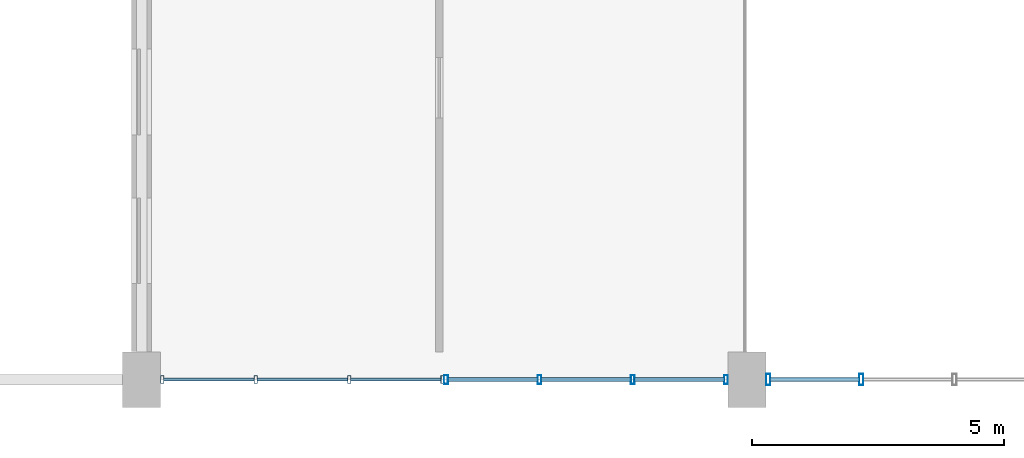
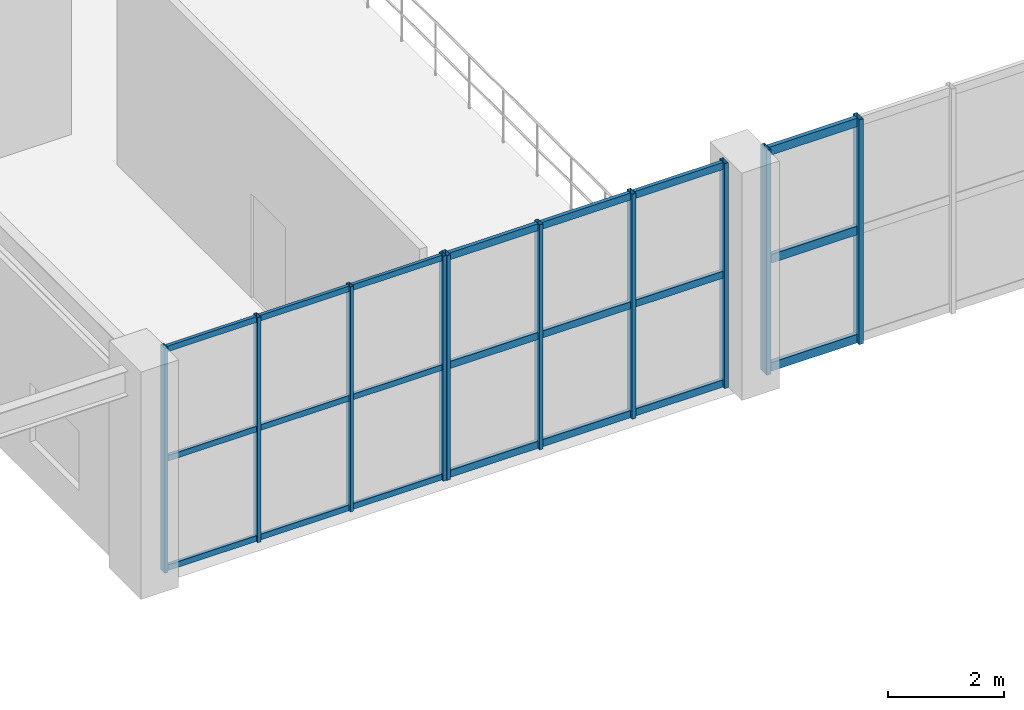
# One storey, part 50 of 106: 31 members, 3 elements without a shape of their own.
"""IFC4 building model written with IfcOpenShell, lengths in metres."""

from ifc_helpers import new_model, si_unit, direction, frame, origin, origin_2d, place, context, subcontext, project, spatial, hollow_rectangle, extrude, material, layer, layer_set, material_profile, profile_set, type_object, element, aggregate, save


model = new_model("IFC4")

# Units and contexts
model_context = context("Model", 3, precision=1e-05, world=origin(), true_north=direction((0.0, 1.0)))
body_context = subcontext(model_context, "Body", "Model", "MODEL_VIEW")
ifc_project = project(units=[si_unit("LENGTHUNIT", "METRE"), si_unit("AREAUNIT", "SQUARE_METRE"), si_unit("VOLUMEUNIT", "CUBIC_METRE"), si_unit("PLANEANGLEUNIT", "RADIAN"), si_unit("MASSUNIT", "GRAM", prefix="KILO"), si_unit("POWERUNIT", "WATT"), si_unit("THERMODYNAMICTEMPERATUREUNIT", "KELVIN")], contexts=[model_context])

# Site, building, storey
site_placement = place(None, origin())
site = spatial("IfcSite", under=ifc_project, at=site_placement, CompositionType="ELEMENT")
building_placement = place(site_placement, origin())
building = spatial("IfcBuilding", under=site, at=building_placement, Name="Kelmbourne Parkland Aquatics Centre", CompositionType="ELEMENT")
storey_placement = place(building_placement, frame((0.0, 0.0, 5.39990234375)))
storey = spatial("IfcBuildingStorey", under=building, at=storey_placement, Name="L01", CompositionType="ELEMENT", Elevation=5.39990234375)

# Curtain wall, members
ifc_material = material(Name="Thermally broken anodised aluminium framing", Category="aluminium")
ifc_layer_1 = layer(ifc_material, 0.179931640625)
ifc_layer_set_1 = layer_set([ifc_layer_1], Name="Thermally broken anodised aluminium framing")
curtain_wall_type_1 = type_object("IfcCurtainWallType", Name="CW-09", PredefinedType="NOTDEFINED", material=ifc_layer_set_1)
curtain_wall_1_placement = place(storey_placement, origin())
curtain_wall_1 = element("IfcCurtainWall", 1, at=curtain_wall_1_placement, inside=storey, type_object=curtain_wall_type_1, Name="Wave-hall clerestory curtain wall CW-L01-105", PredefinedType="NOTDEFINED")
ifc_material_profile_1 = material_profile(ifc_material, hollow_rectangle(XDim=0.06494140625, YDim=0.14990234375, WallThickness=0.00390625, at=origin_2d()), Name="CW-M 65x150")
ifc_profile_set_1 = profile_set([ifc_material_profile_1], Name="Thermally broken anodised aluminium framing")
member_type_1 = type_object("IfcMemberType", Name="MB-MUL-1", PredefinedType="MULLION", material=ifc_profile_set_1)
member_1_placement = place(storey_placement, frame((128.409423828125, 0.800048828125, 0.0), z_axis=(0.0, 0.0, 1.0), x_axis=(1.0, 0.0, 0.0)))
member_1 = element("IfcMember", 2, at=member_1_placement, type_object=member_type_1, Name="CW-L01-105 mullion 0", PredefinedType="MULLION", context=body_context, shape_type="SweptSolid", body=[
    extrude(hollow_rectangle(XDim=0.06494140625, YDim=0.14990234375, WallThickness=0.00390625, at=origin_2d()), origin(), (0.0, 0.0, 1.0), 4.75),
])
member_2_placement = place(storey_placement, frame((130.26220703125, 0.800048828125, 0.0), z_axis=(0.0, 0.0, 1.0), x_axis=(1.0, 0.0, 0.0)))
member_2 = element("IfcMember", 3, at=member_2_placement, type_object=member_type_1, Name="CW-L01-105 mullion 1", PredefinedType="MULLION", context=body_context, shape_type="SweptSolid", body=[
    extrude(hollow_rectangle(XDim=0.06494140625, YDim=0.14990234375, WallThickness=0.00390625, at=origin_2d()), origin(), (0.0, 0.0, 1.0), 4.75),
])
member_3_placement = place(storey_placement, frame((132.11474609375, 0.800048828125, 0.0), z_axis=(0.0, 0.0, 1.0), x_axis=(1.0, 0.0, 0.0)))
member_3 = element("IfcMember", 4, at=member_3_placement, type_object=member_type_1, Name="CW-L01-105 mullion 2", PredefinedType="MULLION", context=body_context, shape_type="SweptSolid", body=[
    extrude(hollow_rectangle(XDim=0.06494140625, YDim=0.14990234375, WallThickness=0.00390625, at=origin_2d()), origin(), (0.0, 0.0, 1.0), 4.75),
])
member_4_placement = place(storey_placement, frame((133.967529296875, 0.800048828125, 0.0), z_axis=(0.0, 0.0, 1.0), x_axis=(1.0, 0.0, 0.0)))
member_4 = element("IfcMember", 5, at=member_4_placement, type_object=member_type_1, Name="CW-L01-105 mullion 3", PredefinedType="MULLION", context=body_context, shape_type="SweptSolid", body=[
    extrude(hollow_rectangle(XDim=0.06494140625, YDim=0.14990234375, WallThickness=0.00390625, at=origin_2d()), origin(), (0.0, 0.0, 1.0), 4.75),
])

ifc_layer_2 = layer(ifc_material, 0.179931640625)
ifc_layer_set_2 = layer_set([ifc_layer_2], Name="Thermally broken anodised aluminium framing")
curtain_wall_type_2 = type_object("IfcCurtainWallType", Name="CW-10", PredefinedType="NOTDEFINED", material=ifc_layer_set_2)
curtain_wall_2_placement = place(storey_placement, origin())
curtain_wall_2 = element("IfcCurtainWall", 6, at=curtain_wall_2_placement, inside=storey, type_object=curtain_wall_type_2, Name="Wave-hall clerestory curtain wall CW-L01-106", PredefinedType="NOTDEFINED")
ifc_material_profile_2 = material_profile(ifc_material, hollow_rectangle(XDim=0.074951171875, YDim=0.179931640625, WallThickness=0.00439453125, at=origin_2d()), Name="CW-M 75x180")
ifc_profile_set_2 = profile_set([ifc_material_profile_2], Name="Thermally broken anodised aluminium framing")
member_type_2 = type_object("IfcMemberType", Name="MB-MUL-2", PredefinedType="MULLION", material=ifc_profile_set_2)
member_5_placement = place(storey_placement, frame((134.03759765625, 0.800048828125, 0.0), z_axis=(0.0, 0.0, 1.0), x_axis=(1.0, 0.0, 0.0)))
member_5 = element("IfcMember", 7, at=member_5_placement, type_object=member_type_2, Name="CW-L01-106 mullion 0", PredefinedType="MULLION", context=body_context, shape_type="SweptSolid", body=[
    extrude(hollow_rectangle(XDim=0.074951171875, YDim=0.179931640625, WallThickness=0.00439453125, at=origin_2d()), origin(), (0.0, 0.0, 1.0), 4.75),
])
member_6_placement = place(storey_placement, frame((135.88671875, 0.800048828125, 0.0), z_axis=(0.0, 0.0, 1.0), x_axis=(1.0, 0.0, 0.0)))
member_6 = element("IfcMember", 8, at=member_6_placement, type_object=member_type_2, Name="CW-L01-106 mullion 1", PredefinedType="MULLION", context=body_context, shape_type="SweptSolid", body=[
    extrude(hollow_rectangle(XDim=0.074951171875, YDim=0.179931640625, WallThickness=0.00439453125, at=origin_2d()), origin(), (0.0, 0.0, 1.0), 4.75),
])
member_7_placement = place(storey_placement, frame((137.736083984375, 0.800048828125, 0.0), z_axis=(0.0, 0.0, 1.0), x_axis=(1.0, 0.0, 0.0)))
member_7 = element("IfcMember", 9, at=member_7_placement, type_object=member_type_2, Name="CW-L01-106 mullion 2", PredefinedType="MULLION", context=body_context, shape_type="SweptSolid", body=[
    extrude(hollow_rectangle(XDim=0.074951171875, YDim=0.179931640625, WallThickness=0.00439453125, at=origin_2d()), origin(), (0.0, 0.0, 1.0), 4.75),
])
member_8_placement = place(storey_placement, frame((139.58544921875, 0.800048828125, 0.0), z_axis=(0.0, 0.0, 1.0), x_axis=(1.0, 0.0, 0.0)))
member_8 = element("IfcMember", 10, at=member_8_placement, type_object=member_type_2, Name="CW-L01-106 mullion 3", PredefinedType="MULLION", context=body_context, shape_type="SweptSolid", body=[
    extrude(hollow_rectangle(XDim=0.074951171875, YDim=0.179931640625, WallThickness=0.00439453125, at=origin_2d()), origin(), (0.0, 0.0, 1.0), 4.75),
])

ifc_layer_3 = layer(ifc_material, 0.179931640625)
ifc_layer_set_3 = layer_set([ifc_layer_3], Name="Thermally broken anodised aluminium framing")
curtain_wall_type_3 = type_object("IfcCurtainWallType", Name="CW-11", PredefinedType="NOTDEFINED", material=ifc_layer_set_3)
curtain_wall_3_placement = place(storey_placement, origin())
curtain_wall_3 = element("IfcCurtainWall", 11, at=curtain_wall_3_placement, inside=storey, type_object=curtain_wall_type_3, Name="Wave-hall clerestory curtain wall CW-L01-107", PredefinedType="NOTDEFINED")
ifc_material_profile_3 = material_profile(ifc_material, hollow_rectangle(XDim=0.0849609375, YDim=0.219970703125, WallThickness=0.0048828125, at=origin_2d()), Name="CW-M 85x220")
ifc_profile_set_3 = profile_set([ifc_material_profile_3], Name="Thermally broken anodised aluminium framing")
member_type_3 = type_object("IfcMemberType", Name="MB-MUL-3", PredefinedType="MULLION", material=ifc_profile_set_3)
member_9_placement = place(storey_placement, frame((140.41943359375, 0.800048828125, 0.0), z_axis=(0.0, 0.0, 1.0), x_axis=(1.0, 0.0, 0.0)))
member_9 = element("IfcMember", 12, at=member_9_placement, type_object=member_type_3, Name="CW-L01-107 mullion 0", PredefinedType="MULLION", context=body_context, shape_type="SweptSolid", body=[
    extrude(hollow_rectangle(XDim=0.0849609375, YDim=0.219970703125, WallThickness=0.0048828125, at=origin_2d()), origin(), (0.0, 0.0, 1.0), 4.75),
])
member_10_placement = place(storey_placement, frame((142.265380859375, 0.800048828125, 0.0), z_axis=(0.0, 0.0, 1.0), x_axis=(1.0, 0.0, 0.0)))
member_10 = element("IfcMember", 13, at=member_10_placement, type_object=member_type_3, Name="CW-L01-107 mullion 1", PredefinedType="MULLION", context=body_context, shape_type="SweptSolid", body=[
    extrude(hollow_rectangle(XDim=0.0849609375, YDim=0.219970703125, WallThickness=0.0048828125, at=origin_2d()), origin(), (0.0, 0.0, 1.0), 4.75),
])

# Member
ifc_material_profile_4 = material_profile(ifc_material, hollow_rectangle(XDim=0.06494140625, YDim=0.1201171875, WallThickness=0.00341796875, at=origin_2d()), Name="CW-T 65x120")
ifc_profile_set_4 = profile_set([ifc_material_profile_4], Name="Thermally broken anodised aluminium framing")
member_type_4 = type_object("IfcMemberType", Name="MB-TRN-1", PredefinedType="USERDEFINED", material=ifc_profile_set_4)
member_11_placement = place(storey_placement, frame((128.43798828125, 0.800048828125, 0.06298828125), z_axis=(1.0, 0.0, 0.0), x_axis=(0.0, 1.0, 0.0)))
member_11 = element("IfcMember", 14, at=member_11_placement, type_object=member_type_4, Name="CW-L01-105 transom 0-0", ObjectType="TRANSOM", PredefinedType="USERDEFINED", context=body_context, shape_type="SweptSolid", body=[
    extrude(hollow_rectangle(XDim=0.06494140625, YDim=0.1201171875, WallThickness=0.00341796875, at=origin_2d()), origin(), (0.0, 0.0, 1.0), 1.795654296875),
])

member_12_placement = place(storey_placement, frame((130.290771484375, 0.800048828125, 0.06298828125), z_axis=(1.0, 0.0, 0.0), x_axis=(0.0, 1.0, 0.0)))
member_12 = element("IfcMember", 15, at=member_12_placement, type_object=member_type_4, Name="CW-L01-105 transom 0-1", ObjectType="TRANSOM", PredefinedType="USERDEFINED", context=body_context, shape_type="SweptSolid", body=[
    extrude(hollow_rectangle(XDim=0.06494140625, YDim=0.1201171875, WallThickness=0.00341796875, at=origin_2d()), origin(), (0.0, 0.0, 1.0), 1.79541015625),
])

member_13_placement = place(storey_placement, frame((132.143310546875, 0.800048828125, 0.06298828125), z_axis=(1.0, 0.0, 0.0), x_axis=(0.0, 1.0, 0.0)))
member_13 = element("IfcMember", 16, at=member_13_placement, type_object=member_type_4, Name="CW-L01-105 transom 0-2", ObjectType="TRANSOM", PredefinedType="USERDEFINED", context=body_context, shape_type="SweptSolid", body=[
    extrude(hollow_rectangle(XDim=0.06494140625, YDim=0.1201171875, WallThickness=0.00341796875, at=origin_2d()), origin(), (0.0, 0.0, 1.0), 1.795654296875),
])

member_14_placement = place(storey_placement, frame((128.43798828125, 0.800048828125, 2.375), z_axis=(1.0, 0.0, 0.0), x_axis=(0.0, 1.0, 0.0)))
member_14 = element("IfcMember", 17, at=member_14_placement, type_object=member_type_4, Name="CW-L01-105 transom 1-0", ObjectType="TRANSOM", PredefinedType="USERDEFINED", context=body_context, shape_type="SweptSolid", body=[
    extrude(hollow_rectangle(XDim=0.06494140625, YDim=0.1201171875, WallThickness=0.00341796875, at=origin_2d()), origin(), (0.0, 0.0, 1.0), 1.795654296875),
])

member_15_placement = place(storey_placement, frame((130.290771484375, 0.800048828125, 2.375), z_axis=(1.0, 0.0, 0.0), x_axis=(0.0, 1.0, 0.0)))
member_15 = element("IfcMember", 18, at=member_15_placement, type_object=member_type_4, Name="CW-L01-105 transom 1-1", ObjectType="TRANSOM", PredefinedType="USERDEFINED", context=body_context, shape_type="SweptSolid", body=[
    extrude(hollow_rectangle(XDim=0.06494140625, YDim=0.1201171875, WallThickness=0.00341796875, at=origin_2d()), origin(), (0.0, 0.0, 1.0), 1.79541015625),
])

member_16_placement = place(storey_placement, frame((132.143310546875, 0.800048828125, 2.375), z_axis=(1.0, 0.0, 0.0), x_axis=(0.0, 1.0, 0.0)))
member_16 = element("IfcMember", 19, at=member_16_placement, type_object=member_type_4, Name="CW-L01-105 transom 1-2", ObjectType="TRANSOM", PredefinedType="USERDEFINED", context=body_context, shape_type="SweptSolid", body=[
    extrude(hollow_rectangle(XDim=0.06494140625, YDim=0.1201171875, WallThickness=0.00341796875, at=origin_2d()), origin(), (0.0, 0.0, 1.0), 1.795654296875),
])

member_17_placement = place(storey_placement, frame((128.43798828125, 0.800048828125, 4.68701171875), z_axis=(1.0, 0.0, 0.0), x_axis=(0.0, 1.0, 0.0)))
member_17 = element("IfcMember", 20, at=member_17_placement, type_object=member_type_4, Name="CW-L01-105 transom 2-0", ObjectType="TRANSOM", PredefinedType="USERDEFINED", context=body_context, shape_type="SweptSolid", body=[
    extrude(hollow_rectangle(XDim=0.06494140625, YDim=0.1201171875, WallThickness=0.00341796875, at=origin_2d()), origin(), (0.0, 0.0, 1.0), 1.795654296875),
])

member_18_placement = place(storey_placement, frame((130.290771484375, 0.800048828125, 4.68701171875), z_axis=(1.0, 0.0, 0.0), x_axis=(0.0, 1.0, 0.0)))
member_18 = element("IfcMember", 21, at=member_18_placement, type_object=member_type_4, Name="CW-L01-105 transom 2-1", ObjectType="TRANSOM", PredefinedType="USERDEFINED", context=body_context, shape_type="SweptSolid", body=[
    extrude(hollow_rectangle(XDim=0.06494140625, YDim=0.1201171875, WallThickness=0.00341796875, at=origin_2d()), origin(), (0.0, 0.0, 1.0), 1.79541015625),
])

member_19_placement = place(storey_placement, frame((132.143310546875, 0.800048828125, 4.68701171875), z_axis=(1.0, 0.0, 0.0), x_axis=(0.0, 1.0, 0.0)))
member_19 = element("IfcMember", 22, at=member_19_placement, type_object=member_type_4, Name="CW-L01-105 transom 2-2", ObjectType="TRANSOM", PredefinedType="USERDEFINED", context=body_context, shape_type="SweptSolid", body=[
    extrude(hollow_rectangle(XDim=0.06494140625, YDim=0.1201171875, WallThickness=0.00341796875, at=origin_2d()), origin(), (0.0, 0.0, 1.0), 1.795654296875),
])

aggregate(curtain_wall_1, [member_1, member_2, member_3, member_4, member_11, member_12, member_13, member_14, member_15, member_16, member_17, member_18, member_19])

ifc_material_profile_5 = material_profile(ifc_material, hollow_rectangle(XDim=0.074951171875, YDim=0.14990234375, WallThickness=0.00390625, at=origin_2d()), Name="CW-T 75x150")
ifc_profile_set_5 = profile_set([ifc_material_profile_5], Name="Thermally broken anodised aluminium framing")
member_type_5 = type_object("IfcMemberType", Name="MB-TRN-2", PredefinedType="USERDEFINED", material=ifc_profile_set_5)
member_20_placement = place(storey_placement, frame((134.071044921875, 0.800048828125, 0.078125), z_axis=(1.0, 0.0, 0.0), x_axis=(0.0, 1.0, 0.0)))
member_20 = element("IfcMember", 23, at=member_20_placement, type_object=member_type_5, Name="CW-L01-106 transom 0-0", ObjectType="TRANSOM", PredefinedType="USERDEFINED", context=body_context, shape_type="SweptSolid", body=[
    extrude(hollow_rectangle(XDim=0.074951171875, YDim=0.14990234375, WallThickness=0.00390625, at=origin_2d()), origin(), (0.0, 0.0, 1.0), 1.7822265625),
])

member_21_placement = place(storey_placement, frame((135.92041015625, 0.800048828125, 0.078125), z_axis=(1.0, 0.0, 0.0), x_axis=(0.0, 1.0, 0.0)))
member_21 = element("IfcMember", 24, at=member_21_placement, type_object=member_type_5, Name="CW-L01-106 transom 0-1", ObjectType="TRANSOM", PredefinedType="USERDEFINED", context=body_context, shape_type="SweptSolid", body=[
    extrude(hollow_rectangle(XDim=0.074951171875, YDim=0.14990234375, WallThickness=0.00390625, at=origin_2d()), origin(), (0.0, 0.0, 1.0), 1.7822265625),
])

member_22_placement = place(storey_placement, frame((137.769775390625, 0.800048828125, 0.078125), z_axis=(1.0, 0.0, 0.0), x_axis=(0.0, 1.0, 0.0)))
member_22 = element("IfcMember", 25, at=member_22_placement, type_object=member_type_5, Name="CW-L01-106 transom 0-2", ObjectType="TRANSOM", PredefinedType="USERDEFINED", context=body_context, shape_type="SweptSolid", body=[
    extrude(hollow_rectangle(XDim=0.074951171875, YDim=0.14990234375, WallThickness=0.00390625, at=origin_2d()), origin(), (0.0, 0.0, 1.0), 1.7822265625),
])

member_23_placement = place(storey_placement, frame((134.071044921875, 0.800048828125, 2.375), z_axis=(1.0, 0.0, 0.0), x_axis=(0.0, 1.0, 0.0)))
member_23 = element("IfcMember", 26, at=member_23_placement, type_object=member_type_5, Name="CW-L01-106 transom 1-0", ObjectType="TRANSOM", PredefinedType="USERDEFINED", context=body_context, shape_type="SweptSolid", body=[
    extrude(hollow_rectangle(XDim=0.074951171875, YDim=0.14990234375, WallThickness=0.00390625, at=origin_2d()), origin(), (0.0, 0.0, 1.0), 1.7822265625),
])

member_24_placement = place(storey_placement, frame((135.92041015625, 0.800048828125, 2.375), z_axis=(1.0, 0.0, 0.0), x_axis=(0.0, 1.0, 0.0)))
member_24 = element("IfcMember", 27, at=member_24_placement, type_object=member_type_5, Name="CW-L01-106 transom 1-1", ObjectType="TRANSOM", PredefinedType="USERDEFINED", context=body_context, shape_type="SweptSolid", body=[
    extrude(hollow_rectangle(XDim=0.074951171875, YDim=0.14990234375, WallThickness=0.00390625, at=origin_2d()), origin(), (0.0, 0.0, 1.0), 1.7822265625),
])

member_25_placement = place(storey_placement, frame((137.769775390625, 0.800048828125, 2.375), z_axis=(1.0, 0.0, 0.0), x_axis=(0.0, 1.0, 0.0)))
member_25 = element("IfcMember", 28, at=member_25_placement, type_object=member_type_5, Name="CW-L01-106 transom 1-2", ObjectType="TRANSOM", PredefinedType="USERDEFINED", context=body_context, shape_type="SweptSolid", body=[
    extrude(hollow_rectangle(XDim=0.074951171875, YDim=0.14990234375, WallThickness=0.00390625, at=origin_2d()), origin(), (0.0, 0.0, 1.0), 1.7822265625),
])

member_26_placement = place(storey_placement, frame((134.071044921875, 0.800048828125, 4.672119140625), z_axis=(1.0, 0.0, 0.0), x_axis=(0.0, 1.0, 0.0)))
member_26 = element("IfcMember", 29, at=member_26_placement, type_object=member_type_5, Name="CW-L01-106 transom 2-0", ObjectType="TRANSOM", PredefinedType="USERDEFINED", context=body_context, shape_type="SweptSolid", body=[
    extrude(hollow_rectangle(XDim=0.074951171875, YDim=0.14990234375, WallThickness=0.00390625, at=origin_2d()), origin(), (0.0, 0.0, 1.0), 1.7822265625),
])

member_27_placement = place(storey_placement, frame((135.92041015625, 0.800048828125, 4.672119140625), z_axis=(1.0, 0.0, 0.0), x_axis=(0.0, 1.0, 0.0)))
member_27 = element("IfcMember", 30, at=member_27_placement, type_object=member_type_5, Name="CW-L01-106 transom 2-1", ObjectType="TRANSOM", PredefinedType="USERDEFINED", context=body_context, shape_type="SweptSolid", body=[
    extrude(hollow_rectangle(XDim=0.074951171875, YDim=0.14990234375, WallThickness=0.00390625, at=origin_2d()), origin(), (0.0, 0.0, 1.0), 1.7822265625),
])

member_28_placement = place(storey_placement, frame((137.769775390625, 0.800048828125, 4.672119140625), z_axis=(1.0, 0.0, 0.0), x_axis=(0.0, 1.0, 0.0)))
member_28 = element("IfcMember", 31, at=member_28_placement, type_object=member_type_5, Name="CW-L01-106 transom 2-2", ObjectType="TRANSOM", PredefinedType="USERDEFINED", context=body_context, shape_type="SweptSolid", body=[
    extrude(hollow_rectangle(XDim=0.074951171875, YDim=0.14990234375, WallThickness=0.00390625, at=origin_2d()), origin(), (0.0, 0.0, 1.0), 1.7822265625),
])

aggregate(curtain_wall_2, [member_5, member_6, member_7, member_8, member_20, member_21, member_22, member_23, member_24, member_25, member_26, member_27, member_28])

ifc_material_profile_6 = material_profile(ifc_material, hollow_rectangle(XDim=0.0849609375, YDim=0.179931640625, WallThickness=0.00439453125, at=origin_2d()), Name="CW-T 85x180")
ifc_profile_set_6 = profile_set([ifc_material_profile_6], Name="Thermally broken anodised aluminium framing")
member_type_6 = type_object("IfcMemberType", Name="MB-TRN-3", PredefinedType="USERDEFINED", material=ifc_profile_set_6)
member_29_placement = place(storey_placement, frame((140.4580078125, 0.800048828125, 0.093017578125), z_axis=(1.0, 0.0, 0.0), x_axis=(0.0, 1.0, 0.0)))
member_29 = element("IfcMember", 32, at=member_29_placement, type_object=member_type_6, Name="CW-L01-107 transom 0-0", ObjectType="TRANSOM", PredefinedType="USERDEFINED", context=body_context, shape_type="SweptSolid", body=[
    extrude(hollow_rectangle(XDim=0.0849609375, YDim=0.179931640625, WallThickness=0.00439453125, at=origin_2d()), origin(), (0.0, 0.0, 1.0), 1.76904296875),
])

member_30_placement = place(storey_placement, frame((140.4580078125, 0.800048828125, 2.375), z_axis=(1.0, 0.0, 0.0), x_axis=(0.0, 1.0, 0.0)))
member_30 = element("IfcMember", 33, at=member_30_placement, type_object=member_type_6, Name="CW-L01-107 transom 1-0", ObjectType="TRANSOM", PredefinedType="USERDEFINED", context=body_context, shape_type="SweptSolid", body=[
    extrude(hollow_rectangle(XDim=0.0849609375, YDim=0.179931640625, WallThickness=0.00439453125, at=origin_2d()), origin(), (0.0, 0.0, 1.0), 1.76904296875),
])

member_31_placement = place(storey_placement, frame((140.4580078125, 0.800048828125, 4.656982421875), z_axis=(1.0, 0.0, 0.0), x_axis=(0.0, 1.0, 0.0)))
member_31 = element("IfcMember", 34, at=member_31_placement, type_object=member_type_6, Name="CW-L01-107 transom 2-0", ObjectType="TRANSOM", PredefinedType="USERDEFINED", context=body_context, shape_type="SweptSolid", body=[
    extrude(hollow_rectangle(XDim=0.0849609375, YDim=0.179931640625, WallThickness=0.00439453125, at=origin_2d()), origin(), (0.0, 0.0, 1.0), 1.76904296875),
])

aggregate(curtain_wall_3, [member_9, member_10, member_29, member_30, member_31])

save(model, "model.ifc")
